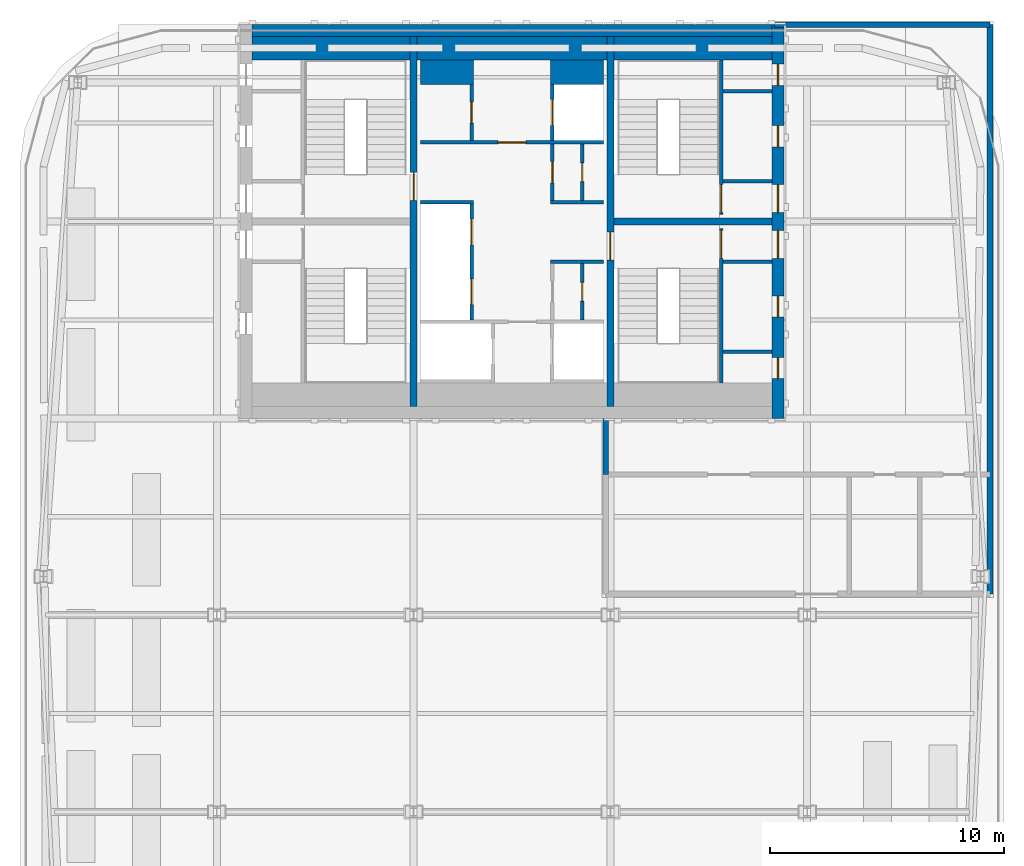
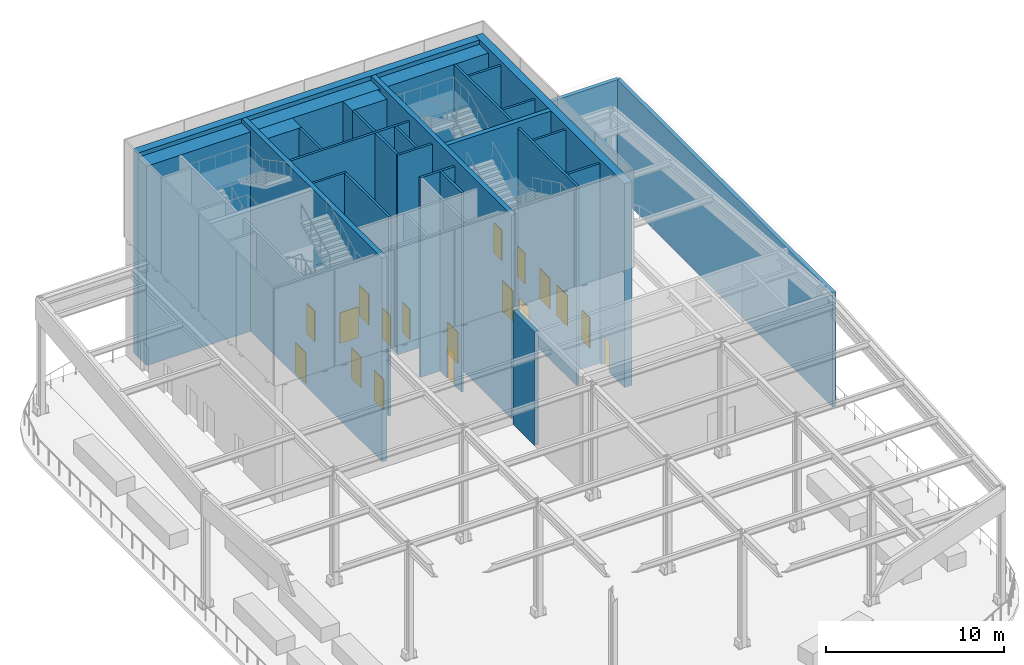
# One storey, part 7 of 14: 27 walls, 18 doors, 18 openings.
"""IFC4 building model written with IfcOpenShell, lengths in metres."""

from ifc_helpers import new_model, si_unit, direction, frame, frame_2d, origin, place, context, subcontext, project, spatial, rectangle, extrude, material, layer, layer_set, type_object, element, fill, save


model = new_model("IFC4")

# Units and contexts
model_context = context("Model", 3, precision=1e-05, world=origin(), true_north=direction((0.0, 1.0)))
body_context = subcontext(model_context, "Body", "Model", "MODEL_VIEW")
ifc_project = project(units=[si_unit("LENGTHUNIT", "METRE"), si_unit("AREAUNIT", "SQUARE_METRE"), si_unit("VOLUMEUNIT", "CUBIC_METRE"), si_unit("PLANEANGLEUNIT", "RADIAN"), si_unit("MASSUNIT", "GRAM", prefix="KILO")], contexts=[model_context])

# Site, building, storey
site_placement = place(None, origin())
site = spatial("IfcSite", under=ifc_project, at=site_placement, CompositionType="ELEMENT")
building_placement = place(site_placement, origin())
building = spatial("IfcBuilding", under=site, at=building_placement, Name="Marenta Gate Hotel Tower", CompositionType="ELEMENT")
storey_placement = place(building_placement, frame((0.0, 0.0, 295.699951171875)))
storey = spatial("IfcBuildingStorey", under=building, at=storey_placement, Name="L67", CompositionType="ELEMENT", Elevation=295.699951171875)

# Wall
ifc_material_1 = material(Name="Concrete C40", Category="concrete")
ifc_layer_1 = layer(ifc_material_1, 1.0)
ifc_layer_set_1 = layer_set([ifc_layer_1], Name="Concrete C40")
wall_type_1 = type_object("IfcWallType", Name="Core lining wall 1000 REI 180", PredefinedType="PARTITIONING", material=ifc_layer_set_1)
wall_1_placement = place(storey_placement, frame((-11.10009765625, 15.800048828125, 0.0), z_axis=(0.0, 0.0, 1.0), x_axis=(1.0, 0.0, 0.0)))
element("IfcWall", 1, at=wall_1_placement, inside=storey, type_object=wall_type_1, Name="L67-CP-LN-N", PredefinedType="PARTITIONING", context=body_context, shape_type="SweptSolid", body=[
    extrude(rectangle(XDim=22.2001953125, YDim=1.0, at=frame_2d((11.10009765625, 0.0))), origin(), (0.0, 0.0, 1.0), 13.699951171875),
])

# Wall, opening, door
ifc_material_2 = material(Name="Concrete blockwork", Category="masonry")
ifc_layer_2 = layer(ifc_material_2, 0.14990234375)
ifc_layer_set_2 = layer_set([ifc_layer_2], Name="Concrete blockwork")
wall_type_2 = type_object("IfcWallType", Name="Core lobby partition 150 REI 180", PredefinedType="PARTITIONING", material=ifc_layer_set_2)
wall_2_placement = place(storey_placement, frame((-3.89990234375, 11.77490234375, 0.0), z_axis=(0.0, 0.0, 1.0), x_axis=(1.0, 0.0, 0.0)))
wall_2 = element("IfcWall", 2, at=wall_2_placement, inside=storey, type_object=wall_type_2, Name="L67-CP-CW-N", PredefinedType="PARTITIONING", context=body_context, shape_type="SweptSolid", body=[
    extrude(rectangle(XDim=7.7998046875, YDim=0.14990234375, at=frame_2d((3.89990234375, 0.0))), origin(), (0.0, 0.0, 1.0), 13.699951171875),
])
opening_1_placement = place(wall_2_placement, frame((3.300048828125, 0.0, 0.0)))
opening_1 = element("IfcOpeningElement", 3, at=opening_1_placement, cuts=wall_2, Name="Opening FD-FFN", PredefinedType="OPENING", context=body_context, shape_type="SweptSolid", body=[
    extrude(rectangle(XDim=1.199951171875, YDim=2.10009765625, at=frame_2d((0.60009765625, 1.050048828125))), frame((0.0, 0.074951171875, 0.0), z_axis=(0.0, -1.0, 0.0), x_axis=(1.0, 0.0, 0.0)), (0.0, 0.0, 1.0), 0.14990234375),
])
ifc_material_3 = material(Name="Steel", Category="steel")
door_type_1 = type_object("IfcDoorType", Name="Core lobby door 1200x2100 FD60", OperationType="SINGLE_SWING_LEFT", PredefinedType="DOOR", material=ifc_material_3)
door_1_placement = place(opening_1_placement, origin())
door_1 = element("IfcDoor", 4, at=door_1_placement, inside=storey, type_object=door_type_1, Name="FD-FFN", OperationType="SINGLE_SWING_LEFT", OverallHeight=2.10009765625, OverallWidth=1.199951171875, PredefinedType="DOOR", context=body_context, shape_type="SweptSolid", body=[
    extrude(rectangle(XDim=1.199951171875, YDim=2.10009765625, at=frame_2d((0.60009765625, 1.050048828125))), frame((0.0, 0.02490234375, 0.0), z_axis=(0.0, -1.0, 0.0), x_axis=(1.0, 0.0, 0.0)), (0.0, 0.0, 1.0), 0.050048828125),
])
fill(opening_1, door_1)

# Walls
ifc_material_4 = material(Name="Concrete blockwork", Category="masonry")
ifc_layer_3 = layer(ifc_material_4, 1.050048828125)
ifc_layer_set_3 = layer_set([ifc_layer_3], Name="Concrete blockwork")
wall_type_3 = type_object("IfcWallType", Name="Core room partition 1050 REI 180", PredefinedType="PARTITIONING", material=ifc_layer_set_3)
wall_3_placement = place(storey_placement, frame((-3.89990234375, 14.77490234375, 0.0), z_axis=(0.0, 0.0, 1.0), x_axis=(1.0, 0.0, 0.0)))
element("IfcWall", 5, at=wall_3_placement, inside=storey, type_object=wall_type_3, Name="L67-CP-CW-W-riser-N", PredefinedType="PARTITIONING", context=body_context, shape_type="SweptSolid", body=[
    extrude(rectangle(XDim=2.25, YDim=1.050048828125, at=frame_2d((1.125, 0.0))), origin(), (0.0, 0.0, 1.0), 13.699951171875),
])
ifc_material_5 = material(Name="Concrete blockwork", Category="masonry")
ifc_layer_4 = layer(ifc_material_5, 0.14990234375)
ifc_layer_set_4 = layer_set([ifc_layer_4], Name="Concrete blockwork")
wall_type_4 = type_object("IfcWallType", Name="Core room partition 150 REI 180", PredefinedType="PARTITIONING", material=ifc_layer_set_4)
for number, where, z_axis, x_axis, name in (
    (6, (9.0, 6.675048828125, 0.0), (0.0, 0.0, 1.0), (1.0, 0.0, 0.0), "L67-CP-SW-ES-2"),
    (7, (9.0, 2.85009765625, 0.0), (0.0, 0.0, 1.0), (1.0, 0.0, 0.0), "L67-CP-RW-ES-1"),
    (8, (9.0, 10.125, 0.0), (0.0, 0.0, 1.0), (1.0, 0.0, 0.0), "L67-CP-SW-EN-2"),
    (9, (9.0, 13.949951171875, 0.0), (0.0, 0.0, 1.0), (1.0, 0.0, 0.0), "L67-CP-RW-EN-1"),
):
    element("IfcWall", number, at=place(storey_placement, frame(where, z_axis=z_axis, x_axis=x_axis)), inside=storey, type_object=wall_type_4, Name=name, PredefinedType="PARTITIONING", context=body_context, shape_type="SweptSolid", body=[
        extrude(rectangle(XDim=2.10009765625, YDim=0.14990234375, at=frame_2d((1.050048828125, 0.0))), origin(), (0.0, 0.0, 1.0), 13.699951171875),
    ])

# Wall, opening, door
wall_4_placement = place(storey_placement, frame((-1.72509765625, 11.85009765625, 0.0), z_axis=(0.0, 0.0, 1.0), x_axis=(0.0, 1.0, 0.0)))
wall_4 = element("IfcWall", 10, at=wall_4_placement, inside=storey, type_object=wall_type_4, Name="L67-CP-CW-W-riser-front", PredefinedType="PARTITIONING", context=body_context, shape_type="SweptSolid", body=[
    extrude(rectangle(XDim=2.39990234375, YDim=0.14990234375, at=frame_2d((1.199951171875, 0.0))), origin(), (0.0, 0.0, 1.0), 13.699951171875),
])
opening_2_placement = place(wall_4_placement, frame((0.75, 0.0, 0.0)))
opening_2 = element("IfcOpeningElement", 11, at=opening_2_placement, cuts=wall_4, Name="Opening RD-CRISER", PredefinedType="OPENING", context=body_context, shape_type="SweptSolid", body=[
    extrude(rectangle(XDim=0.89990234375, YDim=2.10009765625, at=frame_2d((0.449951171875, 1.050048828125))), frame((0.0, 0.074951171875, 0.0), z_axis=(0.0, -1.0, 0.0), x_axis=(1.0, 0.0, 0.0)), (0.0, 0.0, 1.0), 0.14990234375),
])
ifc_material_6 = material(Name="Steel", Category="steel")
door_type_2 = type_object("IfcDoorType", Name="Core riser door 900x2100 FD60", OperationType="SINGLE_SWING_LEFT", PredefinedType="DOOR", material=ifc_material_6)
door_2_placement = place(opening_2_placement, origin())
door_2 = element("IfcDoor", 12, at=door_2_placement, inside=storey, type_object=door_type_2, Name="RD-CRISER", OperationType="SINGLE_SWING_LEFT", OverallHeight=2.10009765625, OverallWidth=0.89990234375, PredefinedType="DOOR", context=body_context, shape_type="SweptSolid", body=[
    extrude(rectangle(XDim=0.89990234375, YDim=2.10009765625, at=frame_2d((0.449951171875, 1.050048828125))), frame((0.0, 0.02490234375, 0.0), z_axis=(0.0, -1.0, 0.0), x_axis=(1.0, 0.0, 0.0)), (0.0, 0.0, 1.0), 0.050048828125),
])
fill(opening_2, door_2)

# Walls
for number, where, z_axis, x_axis, name in (
    (13, (1.64990234375, 6.675048828125, 0.0), (0.0, 0.0, 1.0), (1.0, 0.0, 0.0), "L67-CP-CE-sep1"),
    (14, (1.64990234375, 9.22509765625, 0.0), (0.0, 0.0, 1.0), (1.0, 0.0, 0.0), "L67-CP-CE-sep2"),
):
    element("IfcWall", number, at=place(storey_placement, frame(where, z_axis=z_axis, x_axis=x_axis)), inside=storey, type_object=wall_type_4, Name=name, PredefinedType="PARTITIONING", context=body_context, shape_type="SweptSolid", body=[
        extrude(rectangle(XDim=2.25, YDim=0.14990234375, at=frame_2d((1.125, 0.0))), origin(), (0.0, 0.0, 1.0), 13.699951171875),
    ])

# Wall, opening, door
wall_5_placement = place(storey_placement, frame((1.72509765625, 9.300048828125, 0.0), z_axis=(0.0, 0.0, 1.0), x_axis=(0.0, 1.0, 0.0)))
wall_5 = element("IfcWall", 15, at=wall_5_placement, inside=storey, type_object=wall_type_4, Name="L67-CP-CE-front-2", PredefinedType="PARTITIONING", context=body_context, shape_type="SweptSolid", body=[
    extrude(rectangle(XDim=2.39990234375, YDim=0.14990234375, at=frame_2d((1.199951171875, 0.0))), origin(), (0.0, 0.0, 1.0), 13.699951171875),
])
opening_3_placement = place(wall_5_placement, frame((0.75, 0.0, 0.0)))
opening_3 = element("IfcOpeningElement", 16, at=opening_3_placement, cuts=wall_5, Name="Opening RD-CE-2a", PredefinedType="OPENING", context=body_context, shape_type="SweptSolid", body=[
    extrude(rectangle(XDim=0.89990234375, YDim=2.10009765625, at=frame_2d((0.449951171875, 1.050048828125))), frame((0.0, 0.074951171875, 0.0), z_axis=(0.0, -1.0, 0.0), x_axis=(1.0, 0.0, 0.0)), (0.0, 0.0, 1.0), 0.14990234375),
])
ifc_material_7 = material(Name="Steel", Category="steel")
door_type_3 = type_object("IfcDoorType", Name="Core service room door 900x2100 FD30S", OperationType="SINGLE_SWING_LEFT", PredefinedType="DOOR", material=ifc_material_7)
door_3_placement = place(opening_3_placement, origin())
door_3 = element("IfcDoor", 17, at=door_3_placement, inside=storey, type_object=door_type_3, Name="RD-CE-2a", OperationType="SINGLE_SWING_LEFT", OverallHeight=2.10009765625, OverallWidth=0.89990234375, PredefinedType="DOOR", context=body_context, shape_type="SweptSolid", body=[
    extrude(rectangle(XDim=0.89990234375, YDim=2.10009765625, at=frame_2d((0.449951171875, 1.050048828125))), frame((0.0, 0.02490234375, 0.0), z_axis=(0.0, -1.0, 0.0), x_axis=(1.0, 0.0, 0.0)), (0.0, 0.0, 1.0), 0.050048828125),
])
fill(opening_3, door_3)

wall_6_placement = place(storey_placement, frame((3.0, 4.199951171875, 0.0), z_axis=(0.0, 0.0, 1.0), x_axis=(0.0, 1.0, 0.0)))
wall_6 = element("IfcWall", 18, at=wall_6_placement, inside=storey, type_object=wall_type_4, Name="L67-CP-CE-RW-1", PredefinedType="PARTITIONING", context=body_context, shape_type="SweptSolid", body=[
    extrude(rectangle(XDim=2.400146484375, YDim=0.14990234375, at=frame_2d((1.2001953125, 0.0))), origin(), (0.0, 0.0, 1.0), 13.699951171875),
])
opening_4_placement = place(wall_6_placement, frame((0.800048828125, 0.0, 0.0)))
opening_4 = element("IfcOpeningElement", 19, at=opening_4_placement, cuts=wall_6, Name="Opening RD-CE-1b-A", PredefinedType="OPENING", context=body_context, shape_type="SweptSolid", body=[
    extrude(rectangle(XDim=0.800048828125, YDim=2.10009765625, at=frame_2d((0.39990234375, 1.050048828125))), frame((0.0, 0.074951171875, 0.0), z_axis=(0.0, -1.0, 0.0), x_axis=(1.0, 0.0, 0.0)), (0.0, 0.0, 1.0), 0.14990234375),
])
ifc_material_8 = material(Name="Steel", Category="steel")
door_type_4 = type_object("IfcDoorType", Name="Core riser door 800x2100 FD60", OperationType="SINGLE_SWING_LEFT", PredefinedType="DOOR", material=ifc_material_8)
door_4_placement = place(opening_4_placement, origin())
door_4 = element("IfcDoor", 20, at=door_4_placement, inside=storey, type_object=door_type_4, Name="RD-CE-1b-A", OperationType="SINGLE_SWING_LEFT", OverallHeight=2.10009765625, OverallWidth=0.800048828125, PredefinedType="DOOR", context=body_context, shape_type="SweptSolid", body=[
    extrude(rectangle(XDim=0.800048828125, YDim=2.10009765625, at=frame_2d((0.39990234375, 1.050048828125))), frame((0.0, 0.02490234375, 0.0), z_axis=(0.0, -1.0, 0.0), x_axis=(1.0, 0.0, 0.0)), (0.0, 0.0, 1.0), 0.050048828125),
])
fill(opening_4, door_4)

wall_7_placement = place(storey_placement, frame((3.0, 9.300048828125, 0.0), z_axis=(0.0, 0.0, 1.0), x_axis=(0.0, 1.0, 0.0)))
wall_7 = element("IfcWall", 21, at=wall_7_placement, inside=storey, type_object=wall_type_4, Name="L67-CP-CE-RW-2", PredefinedType="PARTITIONING", context=body_context, shape_type="SweptSolid", body=[
    extrude(rectangle(XDim=2.39990234375, YDim=0.14990234375, at=frame_2d((1.199951171875, 0.0))), origin(), (0.0, 0.0, 1.0), 13.699951171875),
])
opening_5_placement = place(wall_7_placement, frame((0.800048828125, 0.0, 0.0)))
opening_5 = element("IfcOpeningElement", 22, at=opening_5_placement, cuts=wall_7, Name="Opening RD-CE-2b-A", PredefinedType="OPENING", context=body_context, shape_type="SweptSolid", body=[
    extrude(rectangle(XDim=0.800048828125, YDim=2.10009765625, at=frame_2d((0.39990234375, 1.050048828125))), frame((0.0, 0.074951171875, 0.0), z_axis=(0.0, -1.0, 0.0), x_axis=(1.0, 0.0, 0.0)), (0.0, 0.0, 1.0), 0.14990234375),
])
door_5_placement = place(opening_5_placement, origin())
door_5 = element("IfcDoor", 23, at=door_5_placement, inside=storey, type_object=door_type_4, Name="RD-CE-2b-A", OperationType="SINGLE_SWING_LEFT", OverallHeight=2.10009765625, OverallWidth=0.800048828125, PredefinedType="DOOR", context=body_context, shape_type="SweptSolid", body=[
    extrude(rectangle(XDim=0.800048828125, YDim=2.10009765625, at=frame_2d((0.39990234375, 1.050048828125))), frame((0.0, 0.02490234375, 0.0), z_axis=(0.0, -1.0, 0.0), x_axis=(1.0, 0.0, 0.0)), (0.0, 0.0, 1.0), 0.050048828125),
])
fill(opening_5, door_5)

# Wall
ifc_material_9 = material(Name="Concrete C40", Category="concrete")
ifc_layer_5 = layer(ifc_material_9, 1.050048828125)
ifc_layer_set_5 = layer_set([ifc_layer_5], Name="Concrete C40")
wall_type_5 = type_object("IfcWallType", Name="Core shaft wall 1050 REI 180", PredefinedType="SHEAR", material=ifc_layer_set_5)
wall_8_placement = place(storey_placement, frame((1.64990234375, 14.77490234375, 0.0), z_axis=(0.0, 0.0, 1.0), x_axis=(1.0, 0.0, 0.0)))
element("IfcWall", 24, at=wall_8_placement, inside=storey, type_object=wall_type_5, Name="L67-SHF-CE-N-top", PredefinedType="SHEAR", context=body_context, shape_type="SweptSolid", body=[
    extrude(rectangle(XDim=2.25, YDim=1.050048828125, at=frame_2d((1.125, 0.0))), origin(), (0.0, 0.0, 1.0), 13.699951171875),
])

# Wall, openings, doors
ifc_material_10 = material(Name="Concrete C40", Category="concrete")
ifc_layer_6 = layer(ifc_material_10, 0.14990234375)
ifc_layer_set_6 = layer_set([ifc_layer_6], Name="Concrete C40")
wall_type_6 = type_object("IfcWallType", Name="Core shaft wall 150 REI 180", PredefinedType="SHEAR", material=ifc_layer_set_6)
wall_9_placement = place(storey_placement, frame((-1.72509765625, 4.199951171875, 0.0), z_axis=(0.0, 0.0, 1.0), x_axis=(0.0, 1.0, 0.0)))
wall_9 = element("IfcWall", 25, at=wall_9_placement, inside=storey, type_object=wall_type_6, Name="L67-SHF-CW-W-front", PredefinedType="SHEAR", context=body_context, shape_type="SweptSolid", body=[
    extrude(rectangle(XDim=4.949951171875, YDim=0.14990234375, at=frame_2d((2.47509765625, 0.0))), origin(), (0.0, 0.0, 1.0), 13.699951171875),
])
opening_6_placement = place(wall_9_placement, frame((0.64990234375, 0.0, 0.0)))
opening_6 = element("IfcOpeningElement", 26, at=opening_6_placement, cuts=wall_9, Name="Opening LD-OB1", PredefinedType="OPENING", context=body_context, shape_type="SweptSolid", body=[
    extrude(rectangle(XDim=1.10009765625, YDim=2.10009765625, at=frame_2d((0.550048828125, 1.050048828125))), frame((0.0, 0.074951171875, 0.0), z_axis=(0.0, -1.0, 0.0), x_axis=(1.0, 0.0, 0.0)), (0.0, 0.0, 1.0), 0.14990234375),
])
opening_7_placement = place(wall_9_placement, frame((3.199951171875, 0.0, 0.0)))
opening_7 = element("IfcOpeningElement", 27, at=opening_7_placement, cuts=wall_9, Name="Opening LD-OB2", PredefinedType="OPENING", context=body_context, shape_type="SweptSolid", body=[
    extrude(rectangle(XDim=1.10009765625, YDim=2.10009765625, at=frame_2d((0.550048828125, 1.050048828125))), frame((0.0, 0.074951171875, 0.0), z_axis=(0.0, -1.0, 0.0), x_axis=(1.0, 0.0, 0.0)), (0.0, 0.0, 1.0), 0.14990234375),
])
ifc_material_11 = material(Name="Steel", Category="steel")
door_type_5 = type_object("IfcDoorType", Name="Core lift landing door 1100x2100 E 60", OperationType="SLIDING_TO_LEFT", PredefinedType="DOOR", material=ifc_material_11)
door_6_placement = place(opening_6_placement, origin())
door_6 = element("IfcDoor", 28, at=door_6_placement, inside=storey, type_object=door_type_5, Name="LD-OB1", OperationType="SLIDING_TO_LEFT", OverallHeight=2.10009765625, OverallWidth=1.10009765625, PredefinedType="DOOR", context=body_context, shape_type="SweptSolid", body=[
    extrude(rectangle(XDim=1.10009765625, YDim=2.10009765625, at=frame_2d((0.550048828125, 1.050048828125))), frame((0.0, 0.02490234375, 0.0), z_axis=(0.0, -1.0, 0.0), x_axis=(1.0, 0.0, 0.0)), (0.0, 0.0, 1.0), 0.050048828125),
])
fill(opening_6, door_6)
door_7_placement = place(opening_7_placement, origin())
door_7 = element("IfcDoor", 29, at=door_7_placement, inside=storey, type_object=door_type_5, Name="LD-OB2", OperationType="SLIDING_TO_LEFT", OverallHeight=2.10009765625, OverallWidth=1.10009765625, PredefinedType="DOOR", context=body_context, shape_type="SweptSolid", body=[
    extrude(rectangle(XDim=1.10009765625, YDim=2.10009765625, at=frame_2d((0.550048828125, 1.050048828125))), frame((0.0, 0.02490234375, 0.0), z_axis=(0.0, -1.0, 0.0), x_axis=(1.0, 0.0, 0.0)), (0.0, 0.0, 1.0), 0.050048828125),
])
fill(opening_7, door_7)

# Wall
wall_10_placement = place(storey_placement, frame((-3.89990234375, 9.22509765625, 0.0), z_axis=(0.0, 0.0, 1.0), x_axis=(1.0, 0.0, 0.0)))
element("IfcWall", 30, at=wall_10_placement, inside=storey, type_object=wall_type_6, Name="L67-SHF-CW-W-sep", PredefinedType="SHEAR", context=body_context, shape_type="SweptSolid", body=[
    extrude(rectangle(XDim=2.25, YDim=0.14990234375, at=frame_2d((1.125, 0.0))), origin(), (0.0, 0.0, 1.0), 13.699951171875),
])

# Wall, opening, door
wall_11_placement = place(storey_placement, frame((1.72509765625, 11.85009765625, 0.0), z_axis=(0.0, 0.0, 1.0), x_axis=(0.0, 1.0, 0.0)))
wall_11 = element("IfcWall", 31, at=wall_11_placement, inside=storey, type_object=wall_type_6, Name="L67-SHF-CE-N-front2", PredefinedType="SHEAR", context=body_context, shape_type="SweptSolid", body=[
    extrude(rectangle(XDim=2.39990234375, YDim=0.14990234375, at=frame_2d((1.199951171875, 0.0))), origin(), (0.0, 0.0, 1.0), 13.699951171875),
])
opening_8_placement = place(wall_11_placement, frame((0.64990234375, 0.0, 0.0)))
opening_8 = element("IfcOpeningElement", 32, at=opening_8_placement, cuts=wall_11, Name="Opening LD-FF2", PredefinedType="OPENING", context=body_context, shape_type="SweptSolid", body=[
    extrude(rectangle(XDim=1.10009765625, YDim=2.10009765625, at=frame_2d((0.550048828125, 1.050048828125))), frame((0.0, 0.074951171875, 0.0), z_axis=(0.0, -1.0, 0.0), x_axis=(1.0, 0.0, 0.0)), (0.0, 0.0, 1.0), 0.14990234375),
])
door_8_placement = place(opening_8_placement, origin())
door_8 = element("IfcDoor", 33, at=door_8_placement, inside=storey, type_object=door_type_5, Name="LD-FF2", OperationType="SLIDING_TO_LEFT", OverallHeight=2.10009765625, OverallWidth=1.10009765625, PredefinedType="DOOR", context=body_context, shape_type="SweptSolid", body=[
    extrude(rectangle(XDim=1.10009765625, YDim=2.10009765625, at=frame_2d((0.550048828125, 1.050048828125))), frame((0.0, 0.02490234375, 0.0), z_axis=(0.0, -1.0, 0.0), x_axis=(1.0, 0.0, 0.0)), (0.0, 0.0, 1.0), 0.050048828125),
])
fill(opening_8, door_8)

ifc_material_12 = material(Name="Concrete C40", Category="concrete")
ifc_layer_7 = layer(ifc_material_12, 0.14990234375)
ifc_layer_set_7 = layer_set([ifc_layer_7], Name="Concrete C40")
wall_type_7 = type_object("IfcWallType", Name="Core stair enclosure wall 150 REI 180", PredefinedType="SHEAR", material=ifc_layer_set_7)
wall_12_placement = place(storey_placement, frame((8.925048828125, 1.5, 0.0), z_axis=(0.0, 0.0, 1.0), x_axis=(0.0, 1.0, 0.0)))
wall_12 = element("IfcWall", 34, at=wall_12_placement, inside=storey, type_object=wall_type_7, Name="L67-SHF-SW-ES-3", PredefinedType="SHEAR", context=body_context, shape_type="SweptSolid", body=[
    extrude(rectangle(XDim=6.60009765625, YDim=0.14990234375, at=frame_2d((3.300048828125, 0.0))), origin(), (0.0, 0.0, 1.0), 13.699951171875),
])
opening_9_placement = place(wall_12_placement, frame((5.324951171875, 0.0, 0.0)))
opening_9 = element("IfcOpeningElement", 35, at=opening_9_placement, cuts=wall_12, Name="Opening SD-ES", PredefinedType="OPENING", context=body_context, shape_type="SweptSolid", body=[
    extrude(rectangle(XDim=1.199951171875, YDim=2.10009765625, at=frame_2d((0.60009765625, 1.050048828125))), frame((0.0, 0.074951171875, 0.0), z_axis=(0.0, -1.0, 0.0), x_axis=(1.0, 0.0, 0.0)), (0.0, 0.0, 1.0), 0.14990234375),
])
ifc_material_13 = material(Name="Steel", Category="steel")
door_type_6 = type_object("IfcDoorType", Name="Core stair door 1200x2100 FD60", OperationType="SINGLE_SWING_LEFT", PredefinedType="DOOR", material=ifc_material_13)
door_9_placement = place(opening_9_placement, origin())
door_9 = element("IfcDoor", 36, at=door_9_placement, inside=storey, type_object=door_type_6, Name="SD-ES", OperationType="SINGLE_SWING_LEFT", OverallHeight=2.10009765625, OverallWidth=1.199951171875, PredefinedType="DOOR", context=body_context, shape_type="SweptSolid", body=[
    extrude(rectangle(XDim=1.199951171875, YDim=2.10009765625, at=frame_2d((0.60009765625, 1.050048828125))), frame((0.0, 0.02490234375, 0.0), z_axis=(0.0, -1.0, 0.0), x_axis=(1.0, 0.0, 0.0)), (0.0, 0.0, 1.0), 0.050048828125),
])
fill(opening_9, door_9)

wall_13_placement = place(storey_placement, frame((8.925048828125, 8.699951171875, 0.0), z_axis=(0.0, 0.0, 1.0), x_axis=(0.0, 1.0, 0.0)))
wall_13 = element("IfcWall", 37, at=wall_13_placement, inside=storey, type_object=wall_type_7, Name="L67-SHF-SW-EN-3", PredefinedType="SHEAR", context=body_context, shape_type="SweptSolid", body=[
    extrude(rectangle(XDim=6.60009765625, YDim=0.14990234375, at=frame_2d((3.300048828125, 0.0))), origin(), (0.0, 0.0, 1.0), 13.699951171875),
])
opening_10_placement = place(wall_13_placement, frame((0.074951171875, 0.0, 0.0)))
opening_10 = element("IfcOpeningElement", 38, at=opening_10_placement, cuts=wall_13, Name="Opening SD-EN", PredefinedType="OPENING", context=body_context, shape_type="SweptSolid", body=[
    extrude(rectangle(XDim=1.199951171875, YDim=2.10009765625, at=frame_2d((0.60009765625, 1.050048828125))), frame((0.0, 0.074951171875, 0.0), z_axis=(0.0, -1.0, 0.0), x_axis=(1.0, 0.0, 0.0)), (0.0, 0.0, 1.0), 0.14990234375),
])
door_10_placement = place(opening_10_placement, origin())
door_10 = element("IfcDoor", 39, at=door_10_placement, inside=storey, type_object=door_type_6, Name="SD-EN", OperationType="SINGLE_SWING_LEFT", OverallHeight=2.10009765625, OverallWidth=1.199951171875, PredefinedType="DOOR", context=body_context, shape_type="SweptSolid", body=[
    extrude(rectangle(XDim=1.199951171875, YDim=2.10009765625, at=frame_2d((0.60009765625, 1.050048828125))), frame((0.0, 0.02490234375, 0.0), z_axis=(0.0, -1.0, 0.0), x_axis=(1.0, 0.0, 0.0)), (0.0, 0.0, 1.0), 0.050048828125),
])
fill(opening_10, door_10)

# Wall, openings, doors
ifc_material_14 = material(Name="Concrete C50", Category="concrete")
ifc_layer_8 = layer(ifc_material_14, 0.5)
ifc_layer_set_8 = layer_set([ifc_layer_8], Name="Concrete C50")
wall_type_8 = type_object("IfcWallType", Name="Core wall 500 C50", PredefinedType="SHEAR", material=ifc_layer_set_8)
wall_14_placement = place(storey_placement, frame((11.35009765625, 0.0, 0.0), z_axis=(0.0, 0.0, 1.0), x_axis=(0.0, 1.0, 0.0)))
wall_14 = element("IfcWall", 40, at=wall_14_placement, inside=storey, type_object=wall_type_8, Name="L67-CORE-E", PredefinedType="SHEAR", context=body_context, shape_type="SweptSolid", body=[
    extrude(rectangle(XDim=16.800048828125, YDim=0.5, at=frame_2d((8.39990234375, 0.0))), origin(), (0.0, 0.0, 1.0), 14.0),
])
opening_11_placement = place(wall_14_placement, frame((1.6875, 0.0, 0.0)))
opening_11 = element("IfcOpeningElement", 41, at=opening_11_placement, cuts=wall_14, Name="Opening RD-ES-1", PredefinedType="OPENING", context=body_context, shape_type="SweptSolid", body=[
    extrude(rectangle(XDim=0.89990234375, YDim=2.10009765625, at=frame_2d((0.449951171875, 1.050048828125))), frame((0.0, 0.25, 0.0), z_axis=(0.0, -1.0, 0.0), x_axis=(1.0, 0.0, 0.0)), (0.0, 0.0, 1.0), 0.5),
])
opening_12_placement = place(wall_14_placement, frame((4.3125, 0.0, 0.0)))
opening_12 = element("IfcOpeningElement", 42, at=opening_12_placement, cuts=wall_14, Name="Opening RD-ES-2", PredefinedType="OPENING", context=body_context, shape_type="SweptSolid", body=[
    extrude(rectangle(XDim=0.89990234375, YDim=2.10009765625, at=frame_2d((0.449951171875, 1.050048828125))), frame((0.0, 0.25, 0.0), z_axis=(0.0, -1.0, 0.0), x_axis=(1.0, 0.0, 0.0)), (0.0, 0.0, 1.0), 0.5),
])
opening_13_placement = place(wall_14_placement, frame((6.824951171875, 0.0, 0.0)))
opening_13 = element("IfcOpeningElement", 43, at=opening_13_placement, cuts=wall_14, Name="Opening PD-ES", PredefinedType="OPENING", context=body_context, shape_type="SweptSolid", body=[
    extrude(rectangle(XDim=1.199951171875, YDim=2.10009765625, at=frame_2d((0.60009765625, 1.050048828125))), frame((0.0, 0.25, 0.0), z_axis=(0.0, -1.0, 0.0), x_axis=(1.0, 0.0, 0.0)), (0.0, 0.0, 1.0), 0.5),
])
opening_14_placement = place(wall_14_placement, frame((14.21240234375, 0.0, 0.0)))
opening_14 = element("IfcOpeningElement", 44, at=opening_14_placement, cuts=wall_14, Name="Opening RD-EN-1", PredefinedType="OPENING", context=body_context, shape_type="SweptSolid", body=[
    extrude(rectangle(XDim=0.89990234375, YDim=2.10009765625, at=frame_2d((0.449951171875, 1.050048828125))), frame((0.0, 0.25, 0.0), z_axis=(0.0, -1.0, 0.0), x_axis=(1.0, 0.0, 0.0)), (0.0, 0.0, 1.0), 0.5),
])
opening_15_placement = place(wall_14_placement, frame((11.58740234375, 0.0, 0.0)))
opening_15 = element("IfcOpeningElement", 45, at=opening_15_placement, cuts=wall_14, Name="Opening RD-EN-2", PredefinedType="OPENING", context=body_context, shape_type="SweptSolid", body=[
    extrude(rectangle(XDim=0.89990234375, YDim=2.10009765625, at=frame_2d((0.449951171875, 1.050048828125))), frame((0.0, 0.25, 0.0), z_axis=(0.0, -1.0, 0.0), x_axis=(1.0, 0.0, 0.0)), (0.0, 0.0, 1.0), 0.5),
])
opening_16_placement = place(wall_14_placement, frame((8.77490234375, 0.0, 0.0)))
opening_16 = element("IfcOpeningElement", 46, at=opening_16_placement, cuts=wall_14, Name="Opening PD-EN", PredefinedType="OPENING", context=body_context, shape_type="SweptSolid", body=[
    extrude(rectangle(XDim=1.199951171875, YDim=2.10009765625, at=frame_2d((0.60009765625, 1.050048828125))), frame((0.0, 0.25, 0.0), z_axis=(0.0, -1.0, 0.0), x_axis=(1.0, 0.0, 0.0)), (0.0, 0.0, 1.0), 0.5),
])
door_11_placement = place(opening_13_placement, origin())
door_11 = element("IfcDoor", 47, at=door_11_placement, inside=storey, type_object=door_type_1, Name="PD-ES", OperationType="SINGLE_SWING_LEFT", OverallHeight=2.10009765625, OverallWidth=1.199951171875, PredefinedType="DOOR", context=body_context, shape_type="SweptSolid", body=[
    extrude(rectangle(XDim=1.199951171875, YDim=2.10009765625, at=frame_2d((0.60009765625, 1.050048828125))), frame((0.0, 0.02490234375, 0.0), z_axis=(0.0, -1.0, 0.0), x_axis=(1.0, 0.0, 0.0)), (0.0, 0.0, 1.0), 0.050048828125),
])
fill(opening_13, door_11)
door_12_placement = place(opening_16_placement, origin())
door_12 = element("IfcDoor", 48, at=door_12_placement, inside=storey, type_object=door_type_1, Name="PD-EN", OperationType="SINGLE_SWING_LEFT", OverallHeight=2.10009765625, OverallWidth=1.199951171875, PredefinedType="DOOR", context=body_context, shape_type="SweptSolid", body=[
    extrude(rectangle(XDim=1.199951171875, YDim=2.10009765625, at=frame_2d((0.60009765625, 1.050048828125))), frame((0.0, 0.02490234375, 0.0), z_axis=(0.0, -1.0, 0.0), x_axis=(1.0, 0.0, 0.0)), (0.0, 0.0, 1.0), 0.050048828125),
])
fill(opening_16, door_12)
door_13_placement = place(opening_11_placement, origin())
door_13 = element("IfcDoor", 49, at=door_13_placement, inside=storey, type_object=door_type_3, Name="RD-ES-1", OperationType="SINGLE_SWING_LEFT", OverallHeight=2.10009765625, OverallWidth=0.89990234375, PredefinedType="DOOR", context=body_context, shape_type="SweptSolid", body=[
    extrude(rectangle(XDim=0.89990234375, YDim=2.10009765625, at=frame_2d((0.449951171875, 1.050048828125))), frame((0.0, 0.02490234375, 0.0), z_axis=(0.0, -1.0, 0.0), x_axis=(1.0, 0.0, 0.0)), (0.0, 0.0, 1.0), 0.050048828125),
])
fill(opening_11, door_13)
door_14_placement = place(opening_12_placement, origin())
door_14 = element("IfcDoor", 50, at=door_14_placement, inside=storey, type_object=door_type_3, Name="RD-ES-2", OperationType="SINGLE_SWING_LEFT", OverallHeight=2.10009765625, OverallWidth=0.89990234375, PredefinedType="DOOR", context=body_context, shape_type="SweptSolid", body=[
    extrude(rectangle(XDim=0.89990234375, YDim=2.10009765625, at=frame_2d((0.449951171875, 1.050048828125))), frame((0.0, 0.02490234375, 0.0), z_axis=(0.0, -1.0, 0.0), x_axis=(1.0, 0.0, 0.0)), (0.0, 0.0, 1.0), 0.050048828125),
])
fill(opening_12, door_14)
door_15_placement = place(opening_14_placement, origin())
door_15 = element("IfcDoor", 51, at=door_15_placement, inside=storey, type_object=door_type_3, Name="RD-EN-1", OperationType="SINGLE_SWING_LEFT", OverallHeight=2.10009765625, OverallWidth=0.89990234375, PredefinedType="DOOR", context=body_context, shape_type="SweptSolid", body=[
    extrude(rectangle(XDim=0.89990234375, YDim=2.10009765625, at=frame_2d((0.449951171875, 1.050048828125))), frame((0.0, 0.02490234375, 0.0), z_axis=(0.0, -1.0, 0.0), x_axis=(1.0, 0.0, 0.0)), (0.0, 0.0, 1.0), 0.050048828125),
])
fill(opening_14, door_15)
door_16_placement = place(opening_15_placement, origin())
door_16 = element("IfcDoor", 52, at=door_16_placement, inside=storey, type_object=door_type_3, Name="RD-EN-2", OperationType="SINGLE_SWING_LEFT", OverallHeight=2.10009765625, OverallWidth=0.89990234375, PredefinedType="DOOR", context=body_context, shape_type="SweptSolid", body=[
    extrude(rectangle(XDim=0.89990234375, YDim=2.10009765625, at=frame_2d((0.449951171875, 1.050048828125))), frame((0.0, 0.02490234375, 0.0), z_axis=(0.0, -1.0, 0.0), x_axis=(1.0, 0.0, 0.0)), (0.0, 0.0, 1.0), 0.050048828125),
])
fill(opening_15, door_16)

# Wall
wall_15_placement = place(storey_placement, frame((-11.10009765625, 16.550048828125, 0.0), z_axis=(0.0, 0.0, 1.0), x_axis=(1.0, 0.0, 0.0)))
element("IfcWall", 53, at=wall_15_placement, inside=storey, type_object=wall_type_8, Name="L67-CORE-N", PredefinedType="SHEAR", context=body_context, shape_type="SweptSolid", body=[
    extrude(rectangle(XDim=22.2001953125, YDim=0.5, at=frame_2d((11.10009765625, 0.0))), origin(), (0.0, 0.0, 1.0), 14.0),
])

# Wall, opening, door
ifc_material_15 = material(Name="Concrete C50", Category="concrete")
ifc_layer_9 = layer(ifc_material_15, 0.300048828125)
ifc_layer_set_9 = layer_set([ifc_layer_9], Name="Concrete C50")
wall_type_9 = type_object("IfcWallType", Name="Core web 300 C50", PredefinedType="SHEAR", material=ifc_layer_set_9)
wall_16_placement = place(storey_placement, frame((-4.199951171875, 0.5, 0.0), z_axis=(0.0, 0.0, 1.0), x_axis=(0.0, 1.0, 0.0)))
wall_16 = element("IfcWall", 54, at=wall_16_placement, inside=storey, type_object=wall_type_9, Name="L67-CORE-W1", PredefinedType="SHEAR", context=body_context, shape_type="SweptSolid", body=[
    extrude(rectangle(XDim=15.800048828125, YDim=0.300048828125, at=frame_2d((7.89990234375, 0.0))), origin(), (0.0, 0.0, 1.0), 14.0),
])
opening_17_placement = place(wall_16_placement, frame((8.800048828125, 0.0, 0.0)))
opening_17 = element("IfcOpeningElement", 55, at=opening_17_placement, cuts=wall_16, Name="Opening WD-W", PredefinedType="OPENING", context=body_context, shape_type="SweptSolid", body=[
    extrude(rectangle(XDim=1.199951171875, YDim=2.10009765625, at=frame_2d((0.60009765625, 1.050048828125))), frame((0.0, 0.14990234375, 0.0), z_axis=(0.0, -1.0, 0.0), x_axis=(1.0, 0.0, 0.0)), (0.0, 0.0, 1.0), 0.300048828125),
])
door_17_placement = place(opening_17_placement, origin())
door_17 = element("IfcDoor", 56, at=door_17_placement, inside=storey, type_object=door_type_6, Name="WD-W", OperationType="SINGLE_SWING_LEFT", OverallHeight=2.10009765625, OverallWidth=1.199951171875, PredefinedType="DOOR", context=body_context, shape_type="SweptSolid", body=[
    extrude(rectangle(XDim=1.199951171875, YDim=2.10009765625, at=frame_2d((0.60009765625, 1.050048828125))), frame((0.0, 0.02490234375, 0.0), z_axis=(0.0, -1.0, 0.0), x_axis=(1.0, 0.0, 0.0)), (0.0, 0.0, 1.0), 0.050048828125),
])
fill(opening_17, door_17)

wall_17_placement = place(storey_placement, frame((4.199951171875, 0.5, 0.0), z_axis=(0.0, 0.0, 1.0), x_axis=(0.0, 1.0, 0.0)))
wall_17 = element("IfcWall", 57, at=wall_17_placement, inside=storey, type_object=wall_type_9, Name="L67-CORE-W2", PredefinedType="SHEAR", context=body_context, shape_type="SweptSolid", body=[
    extrude(rectangle(XDim=15.800048828125, YDim=0.300048828125, at=frame_2d((7.89990234375, 0.0))), origin(), (0.0, 0.0, 1.0), 14.0),
])
opening_18_placement = place(wall_17_placement, frame((6.25, 0.0, 0.0)))
opening_18 = element("IfcOpeningElement", 58, at=opening_18_placement, cuts=wall_17, Name="Opening WD-E", PredefinedType="OPENING", context=body_context, shape_type="SweptSolid", body=[
    extrude(rectangle(XDim=1.199951171875, YDim=2.10009765625, at=frame_2d((0.60009765625, 1.050048828125))), frame((0.0, 0.14990234375, 0.0), z_axis=(0.0, -1.0, 0.0), x_axis=(1.0, 0.0, 0.0)), (0.0, 0.0, 1.0), 0.300048828125),
])
door_18_placement = place(opening_18_placement, origin())
door_18 = element("IfcDoor", 59, at=door_18_placement, inside=storey, type_object=door_type_6, Name="WD-E", OperationType="SINGLE_SWING_LEFT", OverallHeight=2.10009765625, OverallWidth=1.199951171875, PredefinedType="DOOR", context=body_context, shape_type="SweptSolid", body=[
    extrude(rectangle(XDim=1.199951171875, YDim=2.10009765625, at=frame_2d((0.60009765625, 1.050048828125))), frame((0.0, 0.02490234375, 0.0), z_axis=(0.0, -1.0, 0.0), x_axis=(1.0, 0.0, 0.0)), (0.0, 0.0, 1.0), 0.050048828125),
])
fill(opening_18, door_18)

# Walls
wall_18_placement = place(storey_placement, frame((4.35009765625, 8.39990234375, 0.0), z_axis=(0.0, 0.0, 1.0), x_axis=(1.0, 0.0, 0.0)))
element("IfcWall", 60, at=wall_18_placement, inside=storey, type_object=wall_type_9, Name="L67-CORE-W4", PredefinedType="SHEAR", context=body_context, shape_type="SweptSolid", body=[
    extrude(rectangle(XDim=6.75, YDim=0.300048828125, at=frame_2d((3.375, 0.0))), origin(), (0.0, 0.0, 1.0), 14.0),
])
ifc_material_16 = material(Name="Concrete C40", Category="concrete")
ifc_layer_10 = layer(ifc_material_16, 0.25)
ifc_layer_set_10 = layer_set([ifc_layer_10], Name="Concrete C40")
wall_type_10 = type_object("IfcWallType", Name="Pavilion external wall 250 mm", PredefinedType="SOLIDWALL", material=ifc_layer_set_10)
wall_19_placement = place(storey_placement, frame((4.0, -2.39990234375, 0.0), z_axis=(0.0, 0.0, 1.0), x_axis=(0.0, 1.0, 0.0)))
element("IfcWall", 61, at=wall_19_placement, inside=storey, type_object=wall_type_10, Name="L67-PTN-PV01", PredefinedType="SOLIDWALL", context=body_context, shape_type="SweptSolid", body=[
    extrude(rectangle(XDim=2.39990234375, YDim=0.25, at=frame_2d((1.199951171875, 0.0))), origin(), (0.0, 0.0, 1.0), 7.820068359375),
])
wall_20_placement = place(storey_placement, frame((11.199951171875, 16.800048828125, 0.0), z_axis=(0.0, 0.0, 1.0), x_axis=(1.0, 0.0, 0.0)))
element("IfcWall", 62, at=wall_20_placement, inside=storey, type_object=wall_type_10, Name="L67-PTN-PV02", PredefinedType="SOLIDWALL", context=body_context, shape_type="SweptSolid", body=[
    extrude(rectangle(XDim=9.199951171875, YDim=0.25, at=frame_2d((4.60009765625, 0.0))), origin(), (0.0, 0.0, 1.0), 7.820068359375),
])
wall_21_placement = place(storey_placement, frame((20.39990234375, 16.800048828125, 0.0), z_axis=(0.0, 0.0, 1.0), x_axis=(0.0, -1.0, 0.0)))
element("IfcWall", 63, at=wall_21_placement, inside=storey, type_object=wall_type_10, Name="L67-PTN-PV03", PredefinedType="SOLIDWALL", context=body_context, shape_type="SweptSolid", body=[
    extrude(rectangle(XDim=24.300048828125, YDim=0.25, at=frame_2d((12.14990234375, 0.0))), origin(), (0.0, 0.0, 1.0), 7.820068359375),
])

save(model, "model.ifc")
